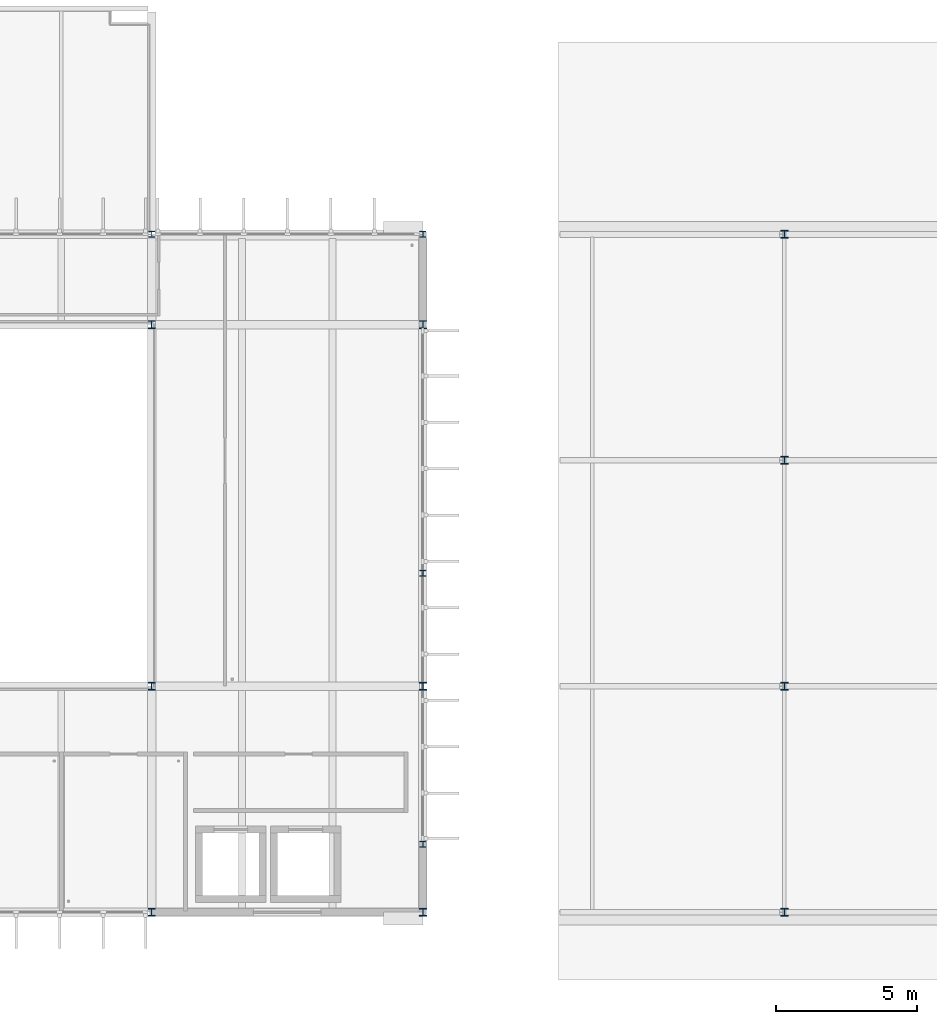
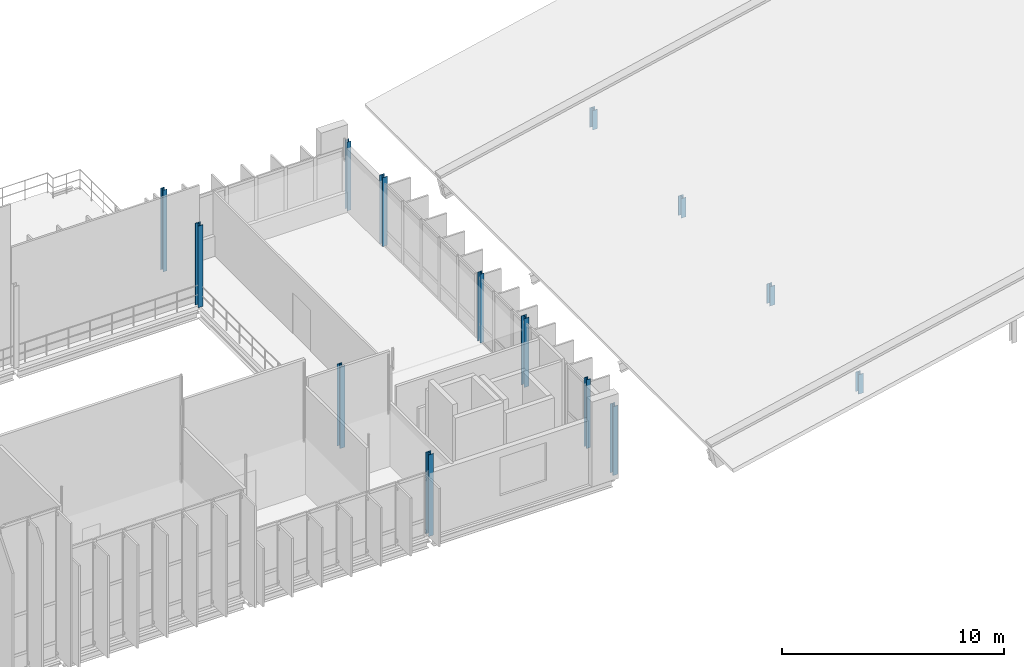
# One storey, part 4 of 41: 14 columns.
"""IFC4 building model written with IfcOpenShell, lengths in metres."""

from ifc_helpers import new_model, si_unit, direction, frame, origin, origin_2d, place, context, subcontext, project, spatial, i_section, extrude, material, material_profile, profile_set, type_object, element, save


model = new_model("IFC4")

# Units and contexts
model_context = context("Model", 3, precision=1e-05, world=origin(), true_north=direction((0.0, 1.0)))
body_context = subcontext(model_context, "Body", "Model", "MODEL_VIEW")
ifc_project = project(units=[si_unit("LENGTHUNIT", "METRE"), si_unit("AREAUNIT", "SQUARE_METRE"), si_unit("VOLUMEUNIT", "CUBIC_METRE"), si_unit("PLANEANGLEUNIT", "RADIAN"), si_unit("MASSUNIT", "GRAM", prefix="KILO")], contexts=[model_context])

# Site, building, storey
site_placement = place(None, origin())
site = spatial("IfcSite", under=ifc_project, at=site_placement, CompositionType="ELEMENT")
building_placement = place(site_placement, origin())
building = spatial("IfcBuilding", under=site, at=building_placement, Name="Dunescarp Central Library", CompositionType="ELEMENT")
storey_placement = place(building_placement, frame((0.0, 0.0, 23.10009765625)))
storey = spatial("IfcBuildingStorey", under=building, at=storey_placement, Name="L05", CompositionType="ELEMENT", Elevation=23.10009765625)

# Columns
ifc_material = material(Name="Steel S355JR", Category="steel")
ifc_material_profile_1 = material_profile(ifc_material, i_section(OverallWidth=0.206298828125, OverallDepth=0.2158203125, WebThickness=0.010009765625, FlangeThickness=0.017333984375, at=origin_2d()), Name="UC 203x203x71")
ifc_profile_set_1 = profile_set([ifc_material_profile_1], Name="Steel S355JR")
column_type_1 = type_object("IfcColumnType", Name="STR-COL-UC203X71", PredefinedType="COLUMN", material=ifc_profile_set_1)
column_placement = place(storey_placement, frame((67.199951171875, 28.800048828125, 0.0), z_axis=(0.0, 0.0, 1.0), x_axis=(1.0, 0.0, 0.0)))
element("IfcColumn", 1, at=column_placement, inside=storey, type_object=column_type_1, Name="L05 column V2N5-672", PredefinedType="COLUMN", context=body_context, shape_type="SweptSolid", body=[
    extrude(i_section(OverallWidth=0.206298828125, OverallDepth=0.2158203125, WebThickness=0.010009765625, FlangeThickness=0.017333984375, at=origin_2d()), origin(), (0.0, 0.0, 1.0), 4.5),
])
for number, where, z_axis, x_axis, name in (
    (2, (76.800048828125, 28.800048828125, 0.0), (0.0, 0.0, 1.0), (1.0, 0.0, 0.0), "L05 column V2N5-768"),
    (3, (76.800048828125, 7.199951171875, 0.0), (0.0, 0.0, 1.0), (1.0, 0.0, 0.0), "L05 column V2L-768-72"),
    (4, (76.800048828125, 16.800048828125, 0.0), (0.0, 0.0, 1.0), (1.0, 0.0, 0.0), "L05 column V2L-768-168"),
):
    element("IfcColumn", number, at=place(storey_placement, frame(where, z_axis=z_axis, x_axis=x_axis)), inside=storey, type_object=column_type_1, Name=name, PredefinedType="COLUMN", context=body_context, shape_type="SweptSolid", body=[
        extrude(i_section(OverallWidth=0.206298828125, OverallDepth=0.2158203125, WebThickness=0.010009765625, FlangeThickness=0.017333984375, at=origin_2d()), origin(), (0.0, 0.0, 1.0), 3.79296875),
    ])
ifc_material_profile_2 = material_profile(ifc_material, i_section(OverallWidth=0.26123046875, OverallDepth=0.2763671875, WebThickness=0.015380859375, FlangeThickness=0.025390625, at=origin_2d()), Name="UC 254x254x132")
ifc_profile_set_2 = profile_set([ifc_material_profile_2], Name="Steel S355JR")
column_type_2 = type_object("IfcColumnType", Name="STR-COL-UC254X132", PredefinedType="COLUMN", material=ifc_profile_set_2)
for number, where, z_axis, x_axis, name in (
    (5, (67.199951171875, 4.800048828125, 0.0), (0.0, 0.0, 1.0), (1.0, 0.0, 0.0), "L05 column V2-672-48"),
    (6, (67.199951171875, 12.800048828125, 0.0), (0.0, 0.0, 1.0), (1.0, 0.0, 0.0), "L05 column V2-672-128"),
    (7, (67.199951171875, 25.60009765625, 0.0), (0.0, 0.0, 1.0), (1.0, 0.0, 0.0), "L05 column V2-672-256"),
):
    element("IfcColumn", number, at=place(storey_placement, frame(where, z_axis=z_axis, x_axis=x_axis)), inside=storey, type_object=column_type_2, Name=name, PredefinedType="COLUMN", context=body_context, shape_type="SweptSolid", body=[
        extrude(i_section(OverallWidth=0.26123046875, OverallDepth=0.2763671875, WebThickness=0.015380859375, FlangeThickness=0.025390625, at=origin_2d()), origin(), (0.0, 0.0, 1.0), 4.5),
    ])
for number, where, z_axis, x_axis, name in (
    (8, (76.800048828125, 4.800048828125, 0.0), (0.0, 0.0, 1.0), (1.0, 0.0, 0.0), "L05 column V2-768-48"),
    (9, (76.800048828125, 12.800048828125, 0.0), (0.0, 0.0, 1.0), (1.0, 0.0, 0.0), "L05 column V2-768-128"),
    (10, (76.800048828125, 25.60009765625, 0.0), (0.0, 0.0, 1.0), (1.0, 0.0, 0.0), "L05 column V2-768-256"),
):
    element("IfcColumn", number, at=place(storey_placement, frame(where, z_axis=z_axis, x_axis=x_axis)), inside=storey, type_object=column_type_2, Name=name, PredefinedType="COLUMN", context=body_context, shape_type="SweptSolid", body=[
        extrude(i_section(OverallWidth=0.26123046875, OverallDepth=0.2763671875, WebThickness=0.015380859375, FlangeThickness=0.025390625, at=origin_2d()), origin(), (0.0, 0.0, 1.0), 3.79296875),
    ])
for number, where, z_axis, x_axis, name in (
    (11, (89.60009765625, 4.800048828125, 0.0), (0.0, 0.0, 1.0), (1.0, 0.0, 0.0), "L05 column V3-896-48"),
    (12, (89.60009765625, 12.800048828125, 0.0), (0.0, 0.0, 1.0), (1.0, 0.0, 0.0), "L05 column V3-896-128"),
    (13, (89.60009765625, 20.800048828125, 0.0), (0.0, 0.0, 1.0), (1.0, 0.0, 0.0), "L05 column V3-896-208"),
    (14, (89.60009765625, 28.800048828125, 0.0), (0.0, 0.0, 1.0), (1.0, 0.0, 0.0), "L05 column V3-896-288"),
):
    element("IfcColumn", number, at=place(storey_placement, frame(where, z_axis=z_axis, x_axis=x_axis)), inside=storey, type_object=column_type_2, Name=name, PredefinedType="COLUMN", context=body_context, shape_type="SweptSolid", body=[
        extrude(i_section(OverallWidth=0.26123046875, OverallDepth=0.2763671875, WebThickness=0.015380859375, FlangeThickness=0.025390625, at=origin_2d()), origin(), (0.0, 0.0, 1.0), 1.072021484375),
    ])

save(model, "model.ifc")
